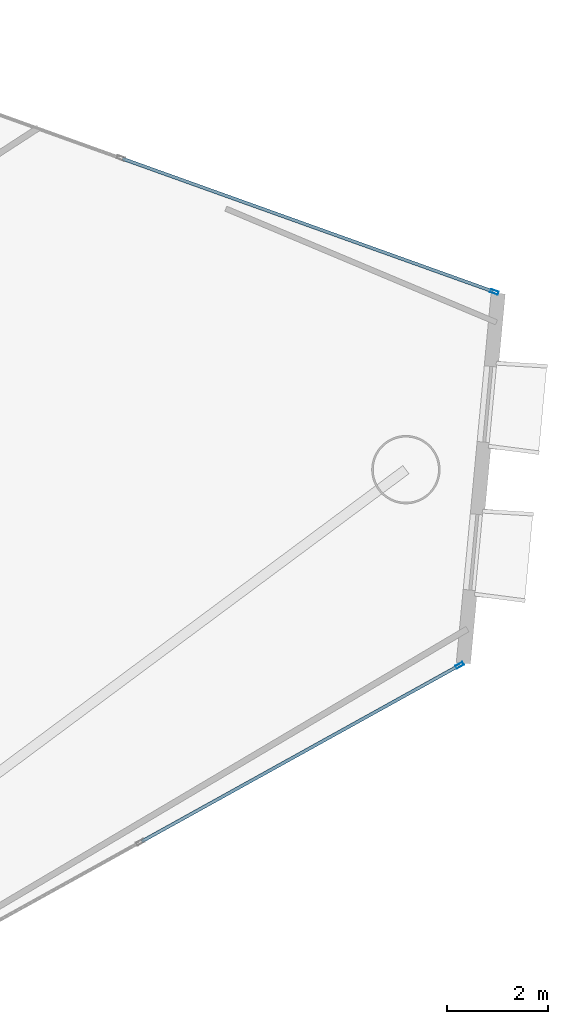
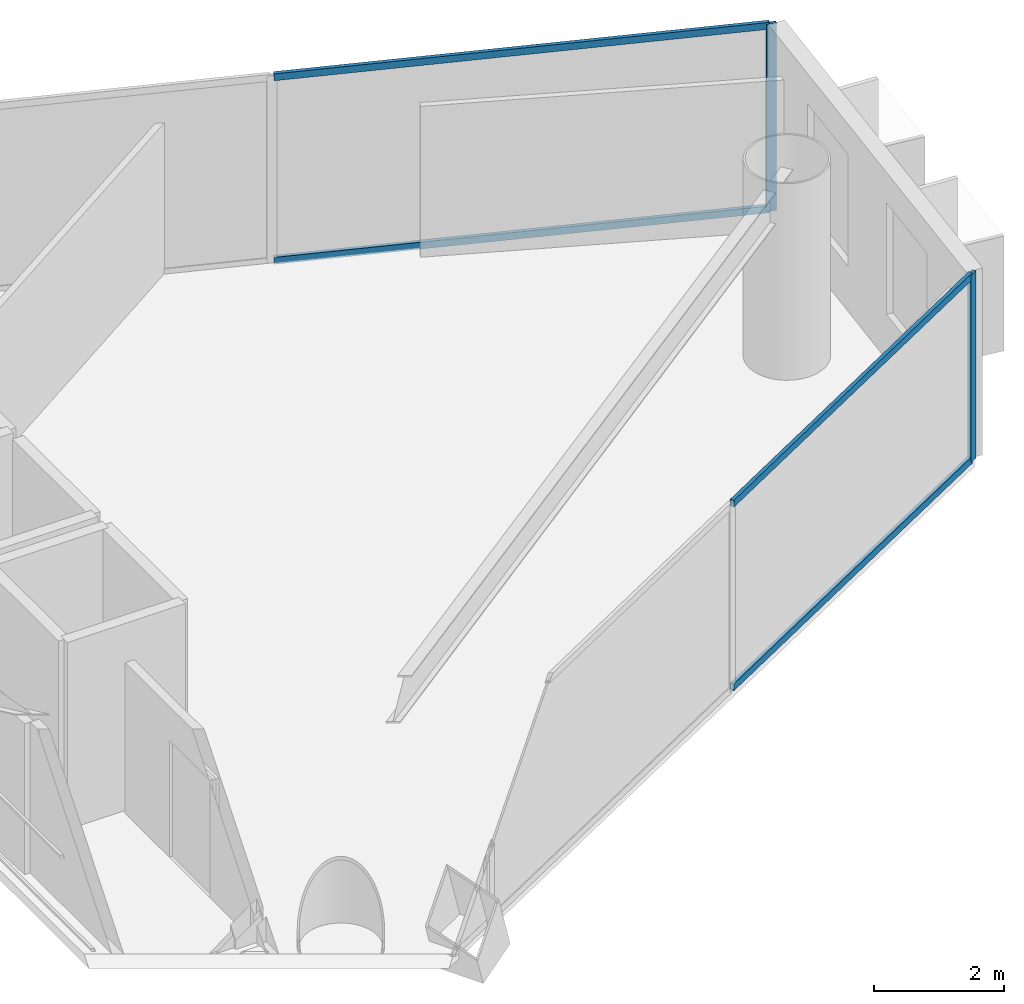
# One storey, part 15 of 21: 6 members, 2 elements without a shape of their own.
"""IFC4 building model written with IfcOpenShell, lengths in metres."""

from ifc_helpers import new_model, si_unit, direction, frame, origin, origin_2d, place, context, subcontext, project, spatial, hollow_rectangle, extrude, material, layer, layer_set, material_profile, profile_set, type_object, element, aggregate, save


model = new_model("IFC4")

# Units and contexts
model_context = context("Model", 3, precision=1e-05, world=origin(), true_north=direction((0.0, 1.0)))
body_context = subcontext(model_context, "Body", "Model", "MODEL_VIEW")
ifc_project = project(units=[si_unit("LENGTHUNIT", "METRE"), si_unit("AREAUNIT", "SQUARE_METRE"), si_unit("VOLUMEUNIT", "CUBIC_METRE"), si_unit("PLANEANGLEUNIT", "RADIAN"), si_unit("MASSUNIT", "GRAM", prefix="KILO")], contexts=[model_context])

# Site, building, storey
site_placement = place(None, origin())
site = spatial("IfcSite", under=ifc_project, at=site_placement, CompositionType="ELEMENT")
building_placement = place(site_placement, origin())
building = spatial("IfcBuilding", under=site, at=building_placement, Name="Qianvela Tower", CompositionType="ELEMENT")
storey_placement = place(building_placement, frame((0.0, 0.0, 166.10009765625)))
storey = spatial("IfcBuildingStorey", under=building, at=storey_placement, Name="L42", CompositionType="ELEMENT", Elevation=166.10009765625)

# Curtain wall, member
ifc_material_1 = material(Name="Anodised Architectural Aluminium and Low-E Glass", Category="aluminium")
ifc_layer = layer(ifc_material_1, 0.169921875)
ifc_layer_set = layer_set([ifc_layer], Name="Anodised Architectural Aluminium and Low-E Glass")
curtain_wall_type = type_object("IfcCurtainWallType", Name="CW-COLIV-Z34", PredefinedType="USERDEFINED", material=ifc_layer_set)
curtain_wall_1_placement = place(storey_placement, origin())
curtain_wall_1 = element("IfcCurtainWall", 1, at=curtain_wall_1_placement, inside=storey, type_object=curtain_wall_type, Name="L42 CW-COLIV-Z34 Curtain Wall 02A", ObjectType="CURTAIN_WALL_SYSTEM", PredefinedType="USERDEFINED")
ifc_material_2 = material(Name="Anodised Architectural Aluminium 6063-T6", Category="aluminium")
ifc_material_profile_1 = material_profile(ifc_material_2, hollow_rectangle(XDim=0.06494140625, YDim=0.159912109375, WallThickness=0.0048828125, at=origin_2d()), Name="ALU-MULL-65x160")
ifc_profile_set_1 = profile_set([ifc_material_profile_1], Name="Anodised Architectural Aluminium 6063-T6")
member_type_1 = type_object("IfcMemberType", Name="CW-COLIV-Z34-MULL", PredefinedType="MULLION", material=ifc_profile_set_1)
member_1_placement = place(storey_placement, frame((59.1787109375, 31.125732421875, 0.0), z_axis=(0.0, 0.0, 1.0), x_axis=(-0.337309414237, -0.941393838448, 0.0)))
member_1 = element("IfcMember", 2, at=member_1_placement, type_object=member_type_1, Name="CW-4 mullion 1", PredefinedType="MULLION", context=body_context, shape_type="SweptSolid", body=[
    extrude(hollow_rectangle(XDim=0.06494140625, YDim=0.159912109375, WallThickness=0.0048828125, at=origin_2d()), origin(), (0.0, 0.0, 1.0), 3.52001953125),
])

curtain_wall_2_placement = place(storey_placement, origin())
curtain_wall_2 = element("IfcCurtainWall", 3, at=curtain_wall_2_placement, inside=storey, type_object=curtain_wall_type, Name="L42 CW-COLIV-Z34 Curtain Wall 06C", ObjectType="CURTAIN_WALL_SYSTEM", PredefinedType="USERDEFINED")
member_2_placement = place(storey_placement, frame((58.496337890625, 23.75830078125, 0.0), z_axis=(0.0, 0.0, 1.0), x_axis=(-0.484701402798, 0.874679684299, 0.0)))
member_2 = element("IfcMember", 4, at=member_2_placement, type_object=member_type_1, Name="CW-4 mullion 3", PredefinedType="MULLION", context=body_context, shape_type="SweptSolid", body=[
    extrude(hollow_rectangle(XDim=0.06494140625, YDim=0.159912109375, WallThickness=0.0048828125, at=origin_2d()), origin(), (0.0, 0.0, 1.0), 3.52001953125),
])

# Member
ifc_material_3 = material(Name="Anodised Architectural Aluminium 6063-T6", Category="aluminium")
ifc_material_profile_2 = material_profile(ifc_material_3, hollow_rectangle(XDim=0.06494140625, YDim=0.1298828125, WallThickness=0.00439453125, at=origin_2d()), Name="ALU-TRAN-65x130")
ifc_profile_set_2 = profile_set([ifc_material_profile_2], Name="Anodised Architectural Aluminium 6063-T6")
member_type_2 = type_object("IfcMemberType", Name="CW-COLIV-Z34-TRAN", PredefinedType="USERDEFINED", material=ifc_profile_set_2)
member_3_placement = place(storey_placement, frame((59.148193359375, 31.13671875, 0.032470703125), z_axis=(-0.941392740116, 0.337312479545, 0.0), x_axis=(-0.337312479545, -0.941392740116, 0.0)))
member_3 = element("IfcMember", 5, at=member_3_placement, type_object=member_type_2, Name="CW-4 transom 1.1", ObjectType="TRANSOM", PredefinedType="USERDEFINED", context=body_context, shape_type="SweptSolid", body=[
    extrude(hollow_rectangle(XDim=0.06494140625, YDim=0.1298828125, WallThickness=0.00439453125, at=origin_2d()), origin(), (0.0, 0.0, 1.0), 7.762451171875),
])

member_4_placement = place(storey_placement, frame((59.148193359375, 31.13671875, 3.4873046875), z_axis=(-0.941392740116, 0.337312479545, 0.0), x_axis=(-0.337312479545, -0.941392740116, 0.0)))
member_4 = element("IfcMember", 6, at=member_4_placement, type_object=member_type_2, Name="CW-4 transom 1.2", ObjectType="TRANSOM", PredefinedType="USERDEFINED", context=body_context, shape_type="SweptSolid", body=[
    extrude(hollow_rectangle(XDim=0.06494140625, YDim=0.1298828125, WallThickness=0.00439453125, at=origin_2d()), origin(), (0.0, 0.0, 1.0), 7.762451171875),
])

aggregate(curtain_wall_1, [member_1, member_3, member_4])

member_5_placement = place(storey_placement, frame((52.221435546875, 20.281005859375, 0.032470703125), z_axis=(0.874671181355, 0.484716746675, 0.0), x_axis=(-0.484716746675, 0.874671181355, 0.0)))
member_5 = element("IfcMember", 7, at=member_5_placement, type_object=member_type_2, Name="CW-4 transom 2.1", ObjectType="TRANSOM", PredefinedType="USERDEFINED", context=body_context, shape_type="SweptSolid", body=[
    extrude(hollow_rectangle(XDim=0.06494140625, YDim=0.1298828125, WallThickness=0.00439453125, at=origin_2d()), origin(), (0.0, 0.0, 1.0), 7.1416015625),
])

member_6_placement = place(storey_placement, frame((52.221435546875, 20.281005859375, 3.4873046875), z_axis=(0.874671181355, 0.484716746675, 0.0), x_axis=(-0.484716746675, 0.874671181355, 0.0)))
member_6 = element("IfcMember", 8, at=member_6_placement, type_object=member_type_2, Name="CW-4 transom 2.2", ObjectType="TRANSOM", PredefinedType="USERDEFINED", context=body_context, shape_type="SweptSolid", body=[
    extrude(hollow_rectangle(XDim=0.06494140625, YDim=0.1298828125, WallThickness=0.00439453125, at=origin_2d()), origin(), (0.0, 0.0, 1.0), 7.1416015625),
])

aggregate(curtain_wall_2, [member_2, member_5, member_6])

save(model, "model.ifc")
